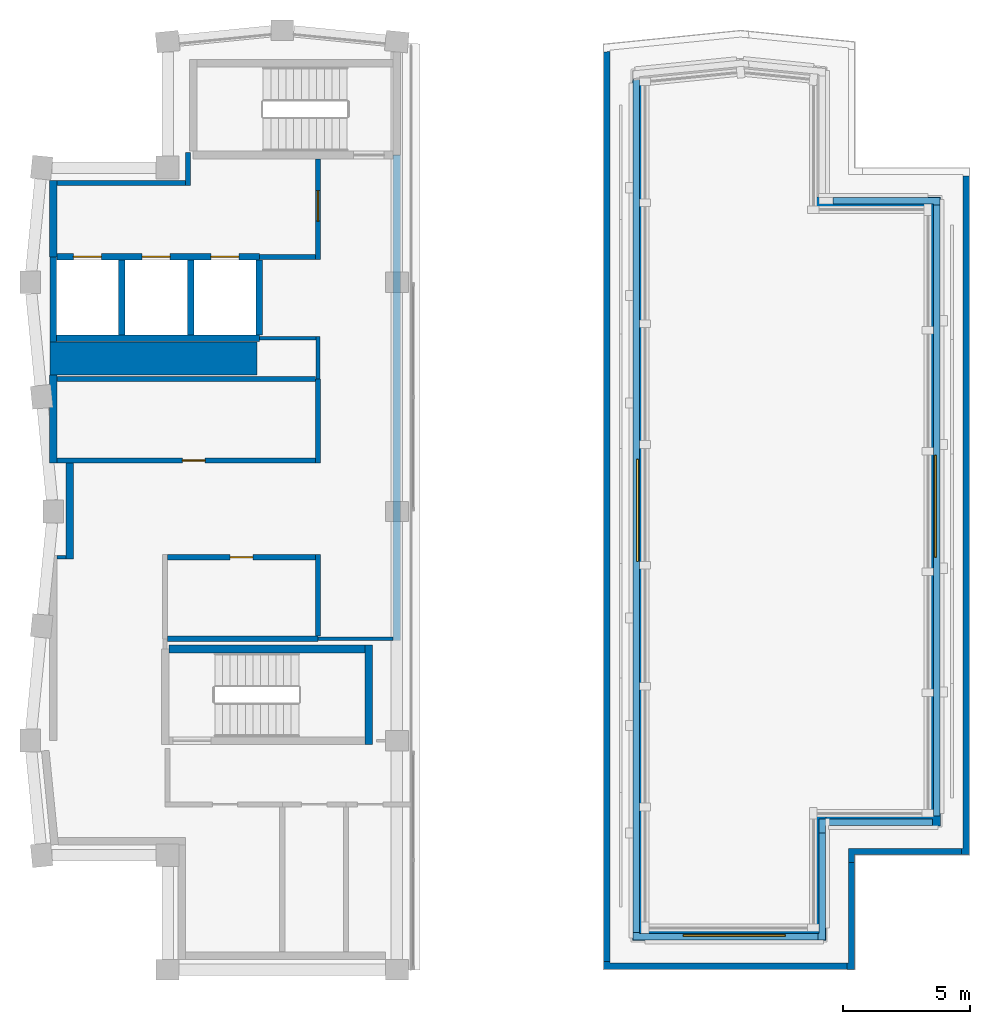
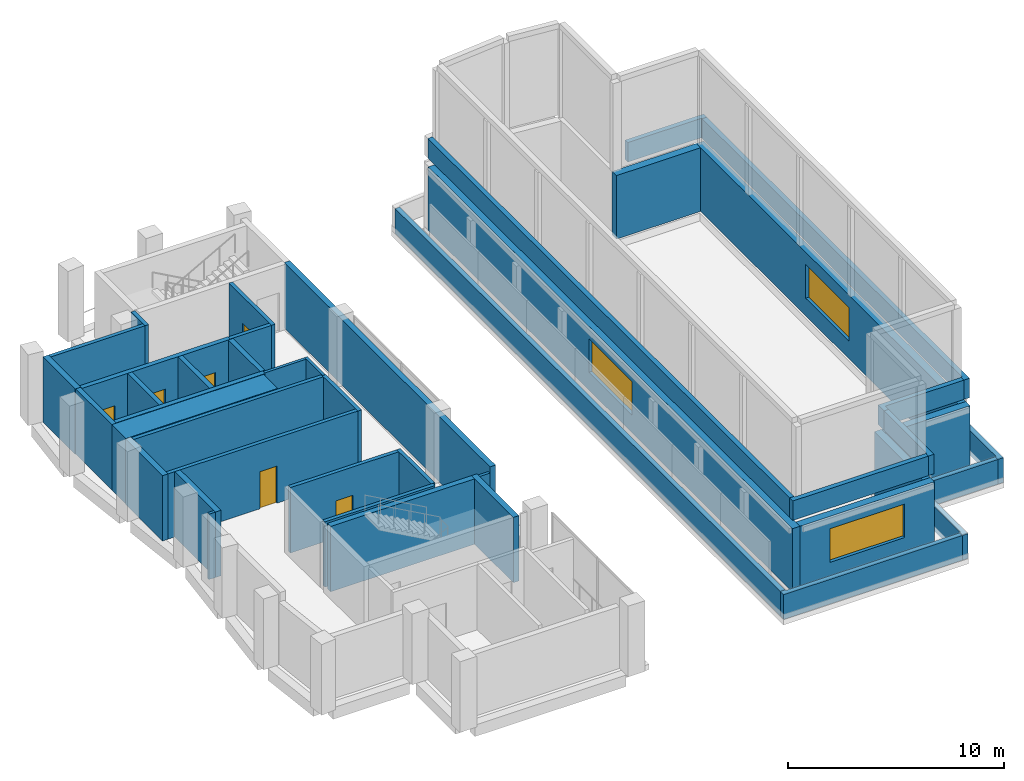
# One storey, part 5 of 8: 44 walls, 6 doors, 3 windows, 9 openings.
"""IFC4 building model written with IfcOpenShell, lengths in metres."""

from ifc_helpers import new_model, si_unit, direction, frame, frame_2d, origin, place, context, subcontext, project, spatial, polyline, rectangle, outline, extrude, material, layer, layer_set, type_object, element, fill, save


model = new_model("IFC4")

# Units and contexts
model_context = context("Model", 3, precision=1e-05, world=origin(), true_north=direction((0.0, 1.0)))
body_context = subcontext(model_context, "Body", "Model", "MODEL_VIEW")
ifc_project = project(units=[si_unit("LENGTHUNIT", "METRE"), si_unit("AREAUNIT", "SQUARE_METRE"), si_unit("VOLUMEUNIT", "CUBIC_METRE"), si_unit("PLANEANGLEUNIT", "RADIAN"), si_unit("MASSUNIT", "GRAM", prefix="KILO")], contexts=[model_context])

# Site, building, storey
site_placement = place(None, origin())
site = spatial("IfcSite", under=ifc_project, at=site_placement, CompositionType="ELEMENT")
building_placement = place(site_placement, origin())
building = spatial("IfcBuilding", under=site, at=building_placement, Name="Brondeck Convention Tower", CompositionType="ELEMENT")
storey_placement = place(building_placement, frame((0.0, 0.0, 298.800048828125)))
storey = spatial("IfcBuildingStorey", under=building, at=storey_placement, Name="L74", CompositionType="ELEMENT", Elevation=298.800048828125)

# Walls
ifc_material_1 = material(Name="Concrete C50/60", Category="concrete")
ifc_layer_1 = layer(ifc_material_1, 0.300048828125)
ifc_layer_set_1 = layer_set([ifc_layer_1], Name="Core outer wall 300 Concrete C50/60")
wall_type_1 = type_object("IfcWallType", Name="Core outer wall 300 Concrete C50/60", PredefinedType="SHEAR", material=ifc_layer_set_1)
wall_1_placement = place(storey_placement, frame((0.0, 46.89990234375, 0.0), z_axis=(0.0, 0.0, 1.0), x_axis=(0.0, 1.0, 0.0)))
element("IfcWall", 1, at=wall_1_placement, inside=storey, type_object=wall_type_1, Name="L74 core wall", PredefinedType="SHEAR", context=body_context, shape_type="SweptSolid", body=[
    extrude(rectangle(XDim=3.4501953125, YDim=0.300048828125, at=frame_2d((1.72509765625, 0.0))), origin(), (0.0, 0.0, 1.0), 3.699951171875),
])
wall_2_placement = place(storey_placement, frame((0.0, 55.0, 0.0), z_axis=(0.0, 0.0, 1.0), x_axis=(0.0, 1.0, 0.0)))
element("IfcWall", 2, at=wall_2_placement, inside=storey, type_object=wall_type_1, Name="L74 core wall", PredefinedType="SHEAR", context=body_context, shape_type="SweptSolid", body=[
    extrude(rectangle(XDim=3.0, YDim=0.300048828125, at=frame_2d((1.5, 0.0))), origin(), (0.0, 0.0, 1.0), 3.699951171875),
])
wall_3_placement = place(storey_placement, frame((0.64990234375, 43.125, 0.0), z_axis=(0.0, 0.0, 1.0), x_axis=(0.0, 1.0, 0.0)))
element("IfcWall", 3, at=wall_3_placement, inside=storey, type_object=wall_type_1, Name="L74 core wall", PredefinedType="SHEAR", context=body_context, shape_type="SweptSolid", body=[
    extrude(rectangle(XDim=3.77490234375, YDim=0.300048828125, at=frame_2d((1.887451171875, 0.0))), origin(), (0.0, 0.0, 1.0), 3.699951171875),
])
wall_4_placement = place(storey_placement, frame((13.5, 39.925048828125, 0.0), z_axis=(0.0, 0.0, 1.0), x_axis=(0.0, 1.0, 0.0)))
element("IfcWall", 4, at=wall_4_placement, inside=storey, type_object=wall_type_1, Name="L74 core wall", PredefinedType="SHEAR", context=body_context, shape_type="SweptSolid", body=[
    extrude(rectangle(XDim=19.074951171875, YDim=0.300048828125, at=frame_2d((9.53759765625, 0.0))), origin(), (0.0, 0.0, 1.0), 3.699951171875),
])
ifc_material_2 = material(Name="Fire-rated gypsum board partition")
ifc_layer_2 = layer(ifc_material_2, 0.14990234375)
ifc_layer_set_2 = layer_set([ifc_layer_2], Name="Core partition 150 EI 60")
wall_type_2 = type_object("IfcWallType", Name="Core partition 150 EI 60", PredefinedType="PARTITIONING", material=ifc_layer_set_2)
wall_5_placement = place(storey_placement, frame((10.39990234375, 40.0, 0.0), z_axis=(0.0, 0.0, 1.0), x_axis=(1.0, 0.0, 0.0)))
element("IfcWall", 5, at=wall_5_placement, inside=storey, type_object=wall_type_2, Name="L74 core wall", PredefinedType="PARTITIONING", context=body_context, shape_type="SweptSolid", body=[
    extrude(rectangle(XDim=2.9501953125, YDim=0.14990234375, at=frame_2d((1.47509765625, 0.0))), origin(), (0.0, 0.0, 1.0), 3.349853515625),
])
wall_6_placement = place(storey_placement, frame((0.14990234375, 43.199951171875, 0.0), z_axis=(0.0, 0.0, 1.0), x_axis=(1.0, 0.0, 0.0)))
element("IfcWall", 6, at=wall_6_placement, inside=storey, type_object=wall_type_2, Name="L74 core wall", PredefinedType="PARTITIONING", context=body_context, shape_type="SweptSolid", body=[
    extrude(rectangle(XDim=0.35009765625, YDim=0.14990234375, at=frame_2d((0.175048828125, 0.0))), origin(), (0.0, 0.0, 1.0), 3.699951171875),
])
wall_7_placement = place(storey_placement, frame((8.10009765625, 51.800048828125, 0.0), z_axis=(0.0, 0.0, 1.0), x_axis=(1.0, 0.0, 0.0)))
element("IfcWall", 7, at=wall_7_placement, inside=storey, type_object=wall_type_2, Name="L74 core wall", PredefinedType="PARTITIONING", context=body_context, shape_type="SweptSolid", body=[
    extrude(rectangle(XDim=2.224853515625, YDim=0.14990234375, at=frame_2d((1.1123046875, 0.0))), origin(), (0.0, 0.0, 1.0), 3.699951171875),
])
wall_8_placement = place(storey_placement, frame((10.39990234375, 50.199951171875, 0.0), z_axis=(0.0, 0.0, 1.0), x_axis=(0.0, 1.0, 0.0)))
element("IfcWall", 8, at=wall_8_placement, inside=storey, type_object=wall_type_2, Name="L74 core wall", PredefinedType="PARTITIONING", context=body_context, shape_type="SweptSolid", body=[
    extrude(rectangle(XDim=1.675048828125, YDim=0.14990234375, at=frame_2d((0.83740234375, 0.0))), origin(), (0.0, 0.0, 1.0), 3.699951171875),
])
ifc_layer_3 = layer(ifc_material_1, 1.300048828125)
ifc_layer_set_3 = layer_set([ifc_layer_3], Name="Core shear wall 1300 Concrete C50/60")
wall_type_3 = type_object("IfcWallType", Name="Core shear wall 1300 Concrete C50/60", PredefinedType="SHEAR", material=ifc_layer_set_3)
wall_9_placement = place(storey_placement, frame((-0.125, 51.0, 0.0), z_axis=(0.0, 0.0, 1.0), x_axis=(1.0, 0.0, 0.0)))
element("IfcWall", 9, at=wall_9_placement, inside=storey, type_object=wall_type_3, Name="L74 core wall", PredefinedType="SHEAR", context=body_context, shape_type="SweptSolid", body=[
    extrude(rectangle(XDim=8.125, YDim=1.300048828125, at=frame_2d((4.0625, 0.0))), origin(), (0.0, 0.0, 1.0), 3.699951171875),
])

# Wall, opening, window
ifc_material_3 = material(Name="Precast concrete C50/60 bronze finish", Category="concrete")
ifc_layer_4 = layer(ifc_material_3, 0.39990234375)
ifc_layer_set_4 = layer_set([ifc_layer_4], Name="Crown tier wall, precast concrete C50/60")
wall_type_4 = type_object("IfcWallType", Name="Crown tier wall, precast concrete C50/60", PredefinedType="SOLIDWALL", material=ifc_layer_set_4)
wall_10_placement = place(storey_placement, frame((30.35009765625, 28.35009765625, 0.449951171875), z_axis=(0.0, 0.0, 1.0), x_axis=(-1.0, 0.0, 0.0)))
wall_10 = element("IfcWall", 10, at=wall_10_placement, inside=storey, type_object=wall_type_4, Name="ENV-CT-K2-T1-W01", PredefinedType="SOLIDWALL", context=body_context, shape_type="SweptSolid", body=[
    extrude(rectangle(XDim=7.2001953125, YDim=0.39990234375, at=frame_2d((3.60009765625, 0.0))), origin(), (0.0, 0.0, 1.0), 3.60009765625),
])
opening_1_placement = place(wall_10_placement, frame((1.60009765625, 0.0, 1.0)))
opening_1 = element("IfcOpeningElement", 11, at=opening_1_placement, cuts=wall_10, Name="Opening W7", PredefinedType="OPENING", context=body_context, shape_type="SweptSolid", body=[
    extrude(rectangle(XDim=4.0, YDim=1.89990234375, at=frame_2d((2.0, 0.949951171875))), frame((0.0, 0.2099609375, 0.0), z_axis=(0.0, -1.0, 0.0), x_axis=(1.0, 0.0, 0.0)), (0.0, 0.0, 1.0), 0.419921875),
])
ifc_material_4 = material(Name="Bronze tinted double glazing", Category="glass")
window_type = type_object("IfcWindowType", Name="Crown tier ribbon window, bronze tinted", PartitioningType="SINGLE_PANEL", PredefinedType="WINDOW", material=ifc_material_4)
window_1_placement = place(opening_1_placement, origin())
window_1 = element("IfcWindow", 12, at=window_1_placement, inside=storey, type_object=window_type, Name="ENV-CT-K2-T1-WN01", OverallHeight=1.89990234375, OverallWidth=4.0, PartitioningType="SINGLE_PANEL", PredefinedType="WINDOW", context=body_context, shape_type="SweptSolid", body=[
    extrude(rectangle(XDim=4.0, YDim=1.89990234375, at=frame_2d((2.0, 0.949951171875))), frame((0.0, 0.030029296875, 0.0), z_axis=(0.0, -1.0, 0.0), x_axis=(1.0, 0.0, 0.0)), (0.0, 0.0, 1.0), 0.06005859375),
])
fill(opening_1, window_1)

# Walls
for number, where, z_axis, x_axis, name in (
    (13, (30.14990234375, 33.050048828125, 0.449951171875), (0.0, 0.0, 1.0), (0.0, -1.0, 0.0), "ENV-CT-K2-T1-W02"),
    (14, (34.85009765625, 32.85009765625, 0.449951171875), (0.0, 0.0, 1.0), (-1.0, 0.0, 0.0), "ENV-CT-K2-T1-W03"),
):
    element("IfcWall", number, at=place(storey_placement, frame(where, z_axis=z_axis, x_axis=x_axis)), inside=storey, type_object=wall_type_4, Name=name, PredefinedType="SOLIDWALL", context=body_context, shape_type="SweptSolid", body=[
        extrude(rectangle(XDim=4.5, YDim=0.39990234375, at=frame_2d((2.25, 0.0))), origin(), (0.0, 0.0, 1.0), 3.60009765625),
    ])

# Wall, opening, window
wall_11_placement = place(storey_placement, frame((34.64990234375, 57.35009765625, 0.449951171875), z_axis=(0.0, 0.0, 1.0), x_axis=(0.0, -1.0, 0.0)))
wall_11 = element("IfcWall", 15, at=wall_11_placement, inside=storey, type_object=wall_type_4, Name="ENV-CT-K2-T1-W04", PredefinedType="SOLIDWALL", context=body_context, shape_type="SweptSolid", body=[
    extrude(rectangle(XDim=24.302001953125, YDim=0.39990234375, at=frame_2d((12.15087890625, 0.0))), origin(), (0.0, 0.0, 1.0), 3.60009765625),
])
opening_2_placement = place(wall_11_placement, frame((10.15087890625, 0.0, 1.0)))
opening_2 = element("IfcOpeningElement", 16, at=opening_2_placement, cuts=wall_11, Name="Opening W7", PredefinedType="OPENING", context=body_context, shape_type="SweptSolid", body=[
    extrude(rectangle(XDim=4.0, YDim=1.89990234375, at=frame_2d((2.0, 0.949951171875))), frame((0.0, 0.2099609375, 0.0), z_axis=(0.0, -1.0, 0.0), x_axis=(1.0, 0.0, 0.0)), (0.0, 0.0, 1.0), 0.419921875),
])
window_2_placement = place(opening_2_placement, origin())
window_2 = element("IfcWindow", 17, at=window_2_placement, inside=storey, type_object=window_type, Name="ENV-CT-K2-T1-WN04", OverallHeight=1.89990234375, OverallWidth=4.0, PartitioningType="SINGLE_PANEL", PredefinedType="WINDOW", context=body_context, shape_type="SweptSolid", body=[
    extrude(rectangle(XDim=4.0, YDim=1.89990234375, at=frame_2d((2.0, 0.949951171875))), frame((0.0, 0.030029296875, 0.0), z_axis=(0.0, -1.0, 0.0), x_axis=(1.0, 0.0, 0.0)), (0.0, 0.0, 1.0), 0.06005859375),
])
fill(opening_2, window_2)

# Wall
wall_12_placement = place(storey_placement, frame((29.949951171875, 57.14990234375, 0.449951171875), z_axis=(0.0, 0.0, 1.0), x_axis=(1.0, 0.0, 0.0)))
element("IfcWall", 18, at=wall_12_placement, inside=storey, type_object=wall_type_4, Name="ENV-CT-K2-T1-W05", PredefinedType="SOLIDWALL", context=body_context, shape_type="SweptSolid", body=[
    extrude(rectangle(XDim=4.501953125, YDim=0.39990234375, at=frame_2d((2.2509765625, 0.0))), origin(), (0.0, 0.0, 1.0), 3.60009765625),
])

# Wall, opening, window
wall_13_placement = place(storey_placement, frame((22.949951171875, 28.14990234375, 0.449951171875), z_axis=(0.0, 0.0, 1.0), x_axis=(0.0, 1.0, 0.0)))
wall_13 = element("IfcWall", 19, at=wall_13_placement, inside=storey, type_object=wall_type_4, Name="ENV-CT-K2-T1-W09", PredefinedType="SOLIDWALL", context=body_context, shape_type="SweptSolid", body=[
    extrude(rectangle(XDim=33.782470703125, YDim=0.39990234375, at=frame_2d((16.89111328125, 0.0))), origin(), (0.0, 0.0, 1.0), 3.60009765625),
])
opening_3_placement = place(wall_13_placement, frame((14.89111328125, 0.0, 1.0)))
opening_3 = element("IfcOpeningElement", 20, at=opening_3_placement, cuts=wall_13, Name="Opening W7", PredefinedType="OPENING", context=body_context, shape_type="SweptSolid", body=[
    extrude(rectangle(XDim=4.0, YDim=1.89990234375, at=frame_2d((2.0, 0.949951171875))), frame((0.0, 0.2099609375, 0.0), z_axis=(0.0, -1.0, 0.0), x_axis=(1.0, 0.0, 0.0)), (0.0, 0.0, 1.0), 0.419921875),
])
window_3_placement = place(opening_3_placement, origin())
window_3 = element("IfcWindow", 21, at=window_3_placement, inside=storey, type_object=window_type, Name="ENV-CT-K2-T1-WN09", OverallHeight=1.89990234375, OverallWidth=4.0, PartitioningType="SINGLE_PANEL", PredefinedType="WINDOW", context=body_context, shape_type="SweptSolid", body=[
    extrude(rectangle(XDim=4.0, YDim=1.89990234375, at=frame_2d((2.0, 0.949951171875))), frame((0.0, 0.030029296875, 0.0), z_axis=(0.0, -1.0, 0.0), x_axis=(1.0, 0.0, 0.0)), (0.0, 0.0, 1.0), 0.06005859375),
])
fill(opening_3, window_3)

# Walls
ifc_layer_5 = layer(ifc_material_2, 0.199951171875)
ifc_layer_set_5 = layer_set([ifc_layer_5], Name="Firefighting lobby wall 200 EI 120")
wall_type_5 = type_object("IfcWallType", Name="Firefighting lobby wall 200 EI 120", PredefinedType="PARTITIONING", material=ifc_layer_set_5)
wall_14_placement = place(storey_placement, frame((8.10009765625, 55.0, 0.0), z_axis=(0.0, 0.0, 1.0), x_axis=(1.0, 0.0, 0.0)))
element("IfcWall", 22, at=wall_14_placement, inside=storey, type_object=wall_type_5, Name="L74 core wall", PredefinedType="PARTITIONING", context=body_context, shape_type="SweptSolid", body=[
    extrude(rectangle(XDim=2.199951171875, YDim=0.199951171875, at=frame_2d((1.10009765625, 0.0))), origin(), (0.0, 0.0, 1.0), 3.699951171875),
])
wall_15_placement = place(storey_placement, frame((0.14990234375, 57.89990234375, 0.0), z_axis=(0.0, 0.0, 1.0), x_axis=(1.0, 0.0, 0.0)))
element("IfcWall", 23, at=wall_15_placement, inside=storey, type_object=wall_type_5, Name="L74 core wall", PredefinedType="PARTITIONING", context=body_context, shape_type="SweptSolid", body=[
    extrude(rectangle(XDim=5.050048828125, YDim=0.199951171875, at=frame_2d((2.52490234375, 0.0))), origin(), (0.0, 0.0, 1.0), 3.699951171875),
])
wall_16_placement = place(storey_placement, frame((5.300048828125, 57.800048828125, 0.0), z_axis=(0.0, 0.0, 1.0), x_axis=(0.0, 1.0, 0.0)))
element("IfcWall", 24, at=wall_16_placement, inside=storey, type_object=wall_type_5, Name="L74 core wall", PredefinedType="PARTITIONING", context=body_context, shape_type="SweptSolid", body=[
    extrude(rectangle(XDim=1.300048828125, YDim=0.199951171875, at=frame_2d((0.64990234375, 0.0))), origin(), (0.0, 0.0, 1.0), 3.699951171875),
])

# Wall, opening, door
wall_17_placement = place(storey_placement, frame((10.39990234375, 54.89990234375, 0.0), z_axis=(0.0, 0.0, 1.0), x_axis=(0.0, 1.0, 0.0)))
wall_17 = element("IfcWall", 25, at=wall_17_placement, inside=storey, type_object=wall_type_5, Name="L74 core wall", PredefinedType="PARTITIONING", context=body_context, shape_type="SweptSolid", body=[
    extrude(rectangle(XDim=3.9501953125, YDim=0.199951171875, at=frame_2d((1.97509765625, 0.0))), origin(), (0.0, 0.0, 1.0), 3.699951171875),
])
opening_4_placement = place(wall_17_placement, frame((1.5, 0.0, 0.0)))
opening_4 = element("IfcOpeningElement", 26, at=opening_4_placement, cuts=wall_17, Name="Opening C43-01", PredefinedType="OPENING", context=body_context, shape_type="SweptSolid", body=[
    extrude(rectangle(XDim=1.199951171875, YDim=2.199951171875, at=frame_2d((0.60009765625, 1.10009765625))), frame((0.0, 0.10986328125, 0.0), z_axis=(0.0, -1.0, 0.0), x_axis=(1.0, 0.0, 0.0)), (0.0, 0.0, 1.0), 0.219970703125),
])
ifc_material_5 = material(Name="Steel fire door", Category="steel")
door_type_1 = type_object("IfcDoorType", Name="Firefighting lobby door 1200x2200 EI 120", OperationType="NOTDEFINED", PredefinedType="DOOR", material=ifc_material_5)
door_1_placement = place(opening_4_placement, origin())
door_1 = element("IfcDoor", 27, at=door_1_placement, inside=storey, type_object=door_type_1, Name="L74 Firefighting lobby door FFL-1", OperationType="SINGLE_SWING_RIGHT", OverallHeight=2.199951171875, OverallWidth=1.199951171875, PredefinedType="DOOR", context=body_context, shape_type="SweptSolid", body=[
    extrude(rectangle(XDim=1.199951171875, YDim=2.199951171875, at=frame_2d((0.60009765625, 1.10009765625))), frame((0.0, 0.02490234375, 0.0), z_axis=(0.0, -1.0, 0.0), x_axis=(1.0, 0.0, 0.0)), (0.0, 0.0, 1.0), 0.050048828125),
])
fill(opening_4, door_1)

# Wall
ifc_layer_6 = layer(ifc_material_1, 0.25)
ifc_layer_set_6 = layer_set([ifc_layer_6], Name="Lift shaft wall 250 Concrete C50/60")
wall_type_6 = type_object("IfcWallType", Name="Lift shaft wall 250 Concrete C50/60", PredefinedType="SHEAR", material=ifc_layer_set_6)
wall_18_placement = place(storey_placement, frame((0.125, 51.800048828125, 0.0), z_axis=(0.0, 0.0, 1.0), x_axis=(1.0, 0.0, 0.0)))
element("IfcWall", 28, at=wall_18_placement, inside=storey, type_object=wall_type_6, Name="L74 core wall", PredefinedType="SHEAR", context=body_context, shape_type="SweptSolid", body=[
    extrude(rectangle(XDim=7.97509765625, YDim=0.25, at=frame_2d((3.987548828125, 0.0))), origin(), (0.0, 0.0, 1.0), 3.699951171875),
])

# Wall, openings, doors
wall_19_placement = place(storey_placement, frame((0.14990234375, 55.0, 0.0), z_axis=(0.0, 0.0, 1.0), x_axis=(1.0, 0.0, 0.0)))
wall_19 = element("IfcWall", 29, at=wall_19_placement, inside=storey, type_object=wall_type_6, Name="L74 core wall", PredefinedType="SHEAR", context=body_context, shape_type="SweptSolid", body=[
    extrude(rectangle(XDim=7.9501953125, YDim=0.25, at=frame_2d((3.97509765625, 0.0))), origin(), (0.0, 0.0, 1.0), 3.699951171875),
])
opening_5_placement = place(wall_19_placement, frame((0.64990234375, 0.0, 0.0)))
opening_5 = element("IfcOpeningElement", 30, at=opening_5_placement, cuts=wall_19, Name="Opening C43-06", PredefinedType="OPENING", context=body_context, shape_type="SweptSolid", body=[
    extrude(rectangle(XDim=1.10009765625, YDim=2.10009765625, at=frame_2d((0.550048828125, 1.050048828125))), frame((0.0, 0.135009765625, 0.0), z_axis=(0.0, -1.0, 0.0), x_axis=(1.0, 0.0, 0.0)), (0.0, 0.0, 1.0), 0.27001953125),
])
opening_6_placement = place(wall_19_placement, frame((3.35009765625, 0.0, 0.0)))
opening_6 = element("IfcOpeningElement", 31, at=opening_6_placement, cuts=wall_19, Name="Opening C43-07", PredefinedType="OPENING", context=body_context, shape_type="SweptSolid", body=[
    extrude(rectangle(XDim=1.10009765625, YDim=2.10009765625, at=frame_2d((0.550048828125, 1.050048828125))), frame((0.0, 0.135009765625, 0.0), z_axis=(0.0, -1.0, 0.0), x_axis=(1.0, 0.0, 0.0)), (0.0, 0.0, 1.0), 0.27001953125),
])
opening_7_placement = place(wall_19_placement, frame((6.050048828125, 0.0, 0.0)))
opening_7 = element("IfcOpeningElement", 32, at=opening_7_placement, cuts=wall_19, Name="Opening C43-08", PredefinedType="OPENING", context=body_context, shape_type="SweptSolid", body=[
    extrude(rectangle(XDim=1.10009765625, YDim=2.10009765625, at=frame_2d((0.550048828125, 1.050048828125))), frame((0.0, 0.135009765625, 0.0), z_axis=(0.0, -1.0, 0.0), x_axis=(1.0, 0.0, 0.0)), (0.0, 0.0, 1.0), 0.27001953125),
])
ifc_material_6 = material(Name="Stainless steel lift door", Category="steel")
door_type_2 = type_object("IfcDoorType", Name="Lift landing door 1100x2100 EI 180", OperationType="DOUBLE_DOOR_SLIDING", PredefinedType="DOOR", material=ifc_material_6)
door_2_placement = place(opening_5_placement, origin())
door_2 = element("IfcDoor", 33, at=door_2_placement, inside=storey, type_object=door_type_2, Name="L74 Lift landing door FF1", OperationType="DOUBLE_DOOR_SLIDING", OverallHeight=2.10009765625, OverallWidth=1.10009765625, PredefinedType="DOOR", context=body_context, shape_type="SweptSolid", body=[
    extrude(rectangle(XDim=1.10009765625, YDim=2.10009765625, at=frame_2d((0.550048828125, 1.050048828125))), frame((0.0, 0.02490234375, 0.0), z_axis=(0.0, -1.0, 0.0), x_axis=(1.0, 0.0, 0.0)), (0.0, 0.0, 1.0), 0.050048828125),
])
fill(opening_5, door_2)
door_3_placement = place(opening_6_placement, origin())
door_3 = element("IfcDoor", 34, at=door_3_placement, inside=storey, type_object=door_type_2, Name="L74 Lift landing door FF2", OperationType="DOUBLE_DOOR_SLIDING", OverallHeight=2.10009765625, OverallWidth=1.10009765625, PredefinedType="DOOR", context=body_context, shape_type="SweptSolid", body=[
    extrude(rectangle(XDim=1.10009765625, YDim=2.10009765625, at=frame_2d((0.550048828125, 1.050048828125))), frame((0.0, 0.02490234375, 0.0), z_axis=(0.0, -1.0, 0.0), x_axis=(1.0, 0.0, 0.0)), (0.0, 0.0, 1.0), 0.050048828125),
])
fill(opening_6, door_3)
door_4_placement = place(opening_7_placement, origin())
door_4 = element("IfcDoor", 35, at=door_4_placement, inside=storey, type_object=door_type_2, Name="L74 Lift landing door FF3", OperationType="DOUBLE_DOOR_SLIDING", OverallHeight=2.10009765625, OverallWidth=1.10009765625, PredefinedType="DOOR", context=body_context, shape_type="SweptSolid", body=[
    extrude(rectangle(XDim=1.10009765625, YDim=2.10009765625, at=frame_2d((0.550048828125, 1.050048828125))), frame((0.0, 0.02490234375, 0.0), z_axis=(0.0, -1.0, 0.0), x_axis=(1.0, 0.0, 0.0)), (0.0, 0.0, 1.0), 0.050048828125),
])
fill(opening_7, door_4)

# Walls
wall_20_placement = place(storey_placement, frame((0.0, 51.64990234375, 0.0), z_axis=(0.0, 0.0, 1.0), x_axis=(0.0, 1.0, 0.0)))
element("IfcWall", 36, at=wall_20_placement, inside=storey, type_object=wall_type_6, Name="L74 core wall", PredefinedType="SHEAR", context=body_context, shape_type="SweptSolid", body=[
    extrude(rectangle(XDim=3.35009765625, YDim=0.25, at=frame_2d((1.675048828125, 0.0))), origin(), (0.0, 0.0, 1.0), 3.699951171875),
])
for number, where, z_axis, x_axis, name in (
    (37, (2.699951171875, 51.925048828125, 0.0), (0.0, 0.0, 1.0), (0.0, 1.0, 0.0), "L74 core wall"),
    (38, (5.39990234375, 51.925048828125, 0.0), (0.0, 0.0, 1.0), (0.0, 1.0, 0.0), "L74 core wall"),
    (39, (8.10009765625, 51.925048828125, 0.0), (0.0, 0.0, 1.0), (0.0, 1.0, 0.0), "L74 core wall"),
):
    element("IfcWall", number, at=place(storey_placement, frame(where, z_axis=z_axis, x_axis=x_axis)), inside=storey, type_object=wall_type_6, Name=name, PredefinedType="SHEAR", context=body_context, shape_type="SweptSolid", body=[
        extrude(rectangle(XDim=2.949951171875, YDim=0.25, at=frame_2d((1.47509765625, 0.0))), origin(), (0.0, 0.0, 1.0), 3.699951171875),
    ])
ifc_layer_7 = layer(ifc_material_2, 0.199951171875)
ifc_layer_set_7 = layer_set([ifc_layer_7], Name="Plant room wall 200 EI 120")
wall_type_7 = type_object("IfcWallType", Name="Plant room wall 200 EI 120", PredefinedType="PARTITIONING", material=ifc_layer_set_7)
wall_21_placement = place(storey_placement, frame((4.5, 40.0, 0.0), z_axis=(0.0, 0.0, 1.0), x_axis=(1.0, 0.0, 0.0)))
element("IfcWall", 40, at=wall_21_placement, inside=storey, type_object=wall_type_7, Name="L74 core wall", PredefinedType="PARTITIONING", context=body_context, shape_type="SweptSolid", body=[
    extrude(rectangle(XDim=5.89990234375, YDim=0.199951171875, at=frame_2d((2.949951171875, 0.0))), origin(), (0.0, 0.0, 1.0), 3.699951171875),
])

# Wall, opening, door
wall_22_placement = place(storey_placement, frame((4.5, 43.199951171875, 0.0), z_axis=(0.0, 0.0, 1.0), x_axis=(1.0, 0.0, 0.0)))
wall_22 = element("IfcWall", 41, at=wall_22_placement, inside=storey, type_object=wall_type_7, Name="L74 core wall", PredefinedType="PARTITIONING", context=body_context, shape_type="SweptSolid", body=[
    extrude(rectangle(XDim=5.800048828125, YDim=0.199951171875, at=frame_2d((2.89990234375, 0.0))), origin(), (0.0, 0.0, 1.0), 3.699951171875),
])
opening_8_placement = place(wall_22_placement, frame((2.449951171875, 0.0, 0.0)))
opening_8 = element("IfcOpeningElement", 42, at=opening_8_placement, cuts=wall_22, Name="Opening C43-03", PredefinedType="OPENING", context=body_context, shape_type="SweptSolid", body=[
    extrude(rectangle(XDim=0.89990234375, YDim=2.10009765625, at=frame_2d((0.449951171875, 1.050048828125))), frame((0.0, 0.10986328125, 0.0), z_axis=(0.0, -1.0, 0.0), x_axis=(1.0, 0.0, 0.0)), (0.0, 0.0, 1.0), 0.219970703125),
])
door_type_3 = type_object("IfcDoorType", Name="Room door 900x2100 EI 120", OperationType="NOTDEFINED", PredefinedType="DOOR", material=ifc_material_5)
door_5_placement = place(opening_8_placement, origin())
door_5 = element("IfcDoor", 43, at=door_5_placement, inside=storey, type_object=door_type_3, Name="L74 Room door FZ-S-4.4-1", OperationType="SINGLE_SWING_LEFT", OverallHeight=2.10009765625, OverallWidth=0.89990234375, PredefinedType="DOOR", context=body_context, shape_type="SweptSolid", body=[
    extrude(rectangle(XDim=0.89990234375, YDim=2.10009765625, at=frame_2d((0.449951171875, 1.050048828125))), frame((0.0, 0.02490234375, 0.0), z_axis=(0.0, -1.0, 0.0), x_axis=(1.0, 0.0, 0.0)), (0.0, 0.0, 1.0), 0.050048828125),
])
fill(opening_8, door_5)

wall_23_placement = place(storey_placement, frame((0.14990234375, 47.0, 0.0), z_axis=(0.0, 0.0, 1.0), x_axis=(1.0, 0.0, 0.0)))
wall_23 = element("IfcWall", 44, at=wall_23_placement, inside=storey, type_object=wall_type_7, Name="L74 core wall", PredefinedType="PARTITIONING", context=body_context, shape_type="SweptSolid", body=[
    extrude(rectangle(XDim=10.150146484375, YDim=0.199951171875, at=frame_2d((5.0751953125, 0.0))), origin(), (0.0, 0.0, 1.0), 3.699951171875),
])
opening_9_placement = place(wall_23_placement, frame((4.925048828125, 0.0, 0.0)))
opening_9 = element("IfcOpeningElement", 45, at=opening_9_placement, cuts=wall_23, Name="Opening C43-02", PredefinedType="OPENING", context=body_context, shape_type="SweptSolid", body=[
    extrude(rectangle(XDim=0.89990234375, YDim=2.10009765625, at=frame_2d((0.449951171875, 1.050048828125))), frame((0.0, 0.10986328125, 0.0), z_axis=(0.0, -1.0, 0.0), x_axis=(1.0, 0.0, 0.0)), (0.0, 0.0, 1.0), 0.219970703125),
])
door_6_placement = place(opening_9_placement, origin())
door_6 = element("IfcDoor", 46, at=door_6_placement, inside=storey, type_object=door_type_3, Name="L74 Room door FZ-N-0-1", OperationType="SINGLE_SWING_RIGHT", OverallHeight=2.10009765625, OverallWidth=0.89990234375, PredefinedType="DOOR", context=body_context, shape_type="SweptSolid", body=[
    extrude(rectangle(XDim=0.89990234375, YDim=2.10009765625, at=frame_2d((0.449951171875, 1.050048828125))), frame((0.0, 0.02490234375, 0.0), z_axis=(0.0, -1.0, 0.0), x_axis=(1.0, 0.0, 0.0)), (0.0, 0.0, 1.0), 0.050048828125),
])
fill(opening_9, door_6)

# Walls
wall_24_placement = place(storey_placement, frame((0.14990234375, 50.199951171875, 0.0), z_axis=(0.0, 0.0, 1.0), x_axis=(1.0, 0.0, 0.0)))
element("IfcWall", 47, at=wall_24_placement, inside=storey, type_object=wall_type_7, Name="L74 core wall", PredefinedType="PARTITIONING", context=body_context, shape_type="SweptSolid", body=[
    extrude(rectangle(XDim=10.150146484375, YDim=0.199951171875, at=frame_2d((5.0751953125, 0.0))), origin(), (0.0, 0.0, 1.0), 3.699951171875),
])
wall_25_placement = place(storey_placement, frame((10.39990234375, 40.10009765625, 0.0), z_axis=(0.0, 0.0, 1.0), x_axis=(0.0, 1.0, 0.0)))
element("IfcWall", 48, at=wall_25_placement, inside=storey, type_object=wall_type_7, Name="L74 core wall", PredefinedType="PARTITIONING", context=body_context, shape_type="SweptSolid", body=[
    extrude(rectangle(XDim=3.199951171875, YDim=0.199951171875, at=frame_2d((1.60009765625, 0.0))), origin(), (0.0, 0.0, 1.0), 3.699951171875),
])
wall_26_placement = place(storey_placement, frame((10.39990234375, 46.89990234375, 0.0), z_axis=(0.0, 0.0, 1.0), x_axis=(0.0, 1.0, 0.0)))
element("IfcWall", 49, at=wall_26_placement, inside=storey, type_object=wall_type_7, Name="L74 core wall", PredefinedType="PARTITIONING", context=body_context, shape_type="SweptSolid", body=[
    extrude(rectangle(XDim=3.300048828125, YDim=0.199951171875, at=frame_2d((1.64990234375, 0.0))), origin(), (0.0, 0.0, 1.0), 3.699951171875),
])
ifc_material_7 = material(Name="Precast concrete C50/60", Category="concrete")
ifc_layer_8 = layer(ifc_material_7, 0.25)
ifc_layer_set_8 = layer_set([ifc_layer_8], Name="Roof parapet, precast concrete C50/60")
wall_type_8 = type_object("IfcWallType", Name="Roof parapet, precast concrete C50/60", PredefinedType="PARAPET", material=ifc_layer_set_8)
wall_27_placement = place(storey_placement, origin())
element("IfcWall", 50, at=wall_27_placement, inside=storey, type_object=wall_type_8, Name="ENV-ROOF-K2-PA-05", PredefinedType="PARAPET", context=body_context, shape_type="SweptSolid", body=[
    extrude(outline(polyline([(35.72998046875, 31.77001953125), (35.679931640625, 31.77001953125), (35.679931640625, 31.52001953125), (35.97998046875, 31.52001953125), (35.97998046875, 58.178955078125), (35.72998046875, 58.178955078125), (35.72998046875, 31.77001953125)])), origin(), (0.0, 0.0, 1.0), 1.39990234375),
])
wall_28_placement = place(storey_placement, origin())
element("IfcWall", 51, at=wall_28_placement, inside=storey, type_object=wall_type_8, Name="ENV-ROOF-K2-PA-06", PredefinedType="PARAPET", context=body_context, shape_type="SweptSolid", body=[
    extrude(outline(polyline([(31.22998046875, 31.77001953125), (31.22998046875, 31.219970703125), (31.47998046875, 31.219970703125), (31.47998046875, 31.52001953125), (35.678955078125, 31.52001953125), (35.678955078125, 31.77001953125), (31.22998046875, 31.77001953125)])), origin(), (0.0, 0.0, 1.0), 1.39990234375),
])
wall_29_placement = place(storey_placement, origin())
element("IfcWall", 52, at=wall_29_placement, inside=storey, type_object=wall_type_8, Name="ENV-ROOF-K2-PA-07", PredefinedType="PARAPET", context=body_context, shape_type="SweptSolid", body=[
    extrude(outline(polyline([(31.22998046875, 27.27001953125), (31.179931640625, 27.27001953125), (31.179931640625, 27.02001953125), (31.47998046875, 27.02001953125), (31.47998046875, 31.218994140625), (31.22998046875, 31.218994140625), (31.22998046875, 27.27001953125)])), origin(), (0.0, 0.0, 1.0), 1.39990234375),
])
wall_30_placement = place(storey_placement, origin())
element("IfcWall", 53, at=wall_30_placement, inside=storey, type_object=wall_type_8, Name="ENV-ROOF-K2-PA-08", PredefinedType="PARAPET", context=body_context, shape_type="SweptSolid", body=[
    extrude(outline(polyline([(21.8701171875, 27.27001953125), (21.8701171875, 27.320068359375), (21.6201171875, 27.320068359375), (21.6201171875, 27.02001953125), (31.178955078125, 27.02001953125), (31.178955078125, 27.27001953125), (21.8701171875, 27.27001953125)])), origin(), (0.0, 0.0, 1.0), 1.39990234375),
])
wall_31_placement = place(storey_placement, origin())
element("IfcWall", 54, at=wall_31_placement, inside=storey, type_object=wall_type_8, Name="ENV-ROOF-K2-PA-09", PredefinedType="PARAPET", context=body_context, shape_type="SweptSolid", body=[
    extrude(outline(polyline([(21.8701171875, 27.321044921875), (21.8701171875, 63.064453125), (21.64990234375, 63.04248046875), (21.6201171875, 63.039306640625), (21.6201171875, 63.039306640625), (21.6201171875, 63.039306640625), (21.6201171875, 27.321044921875), (21.8701171875, 27.321044921875)])), origin(), (0.0, 0.0, 1.0), 1.39990234375),
])
wall_32_placement = place(storey_placement, frame((0.0, 0.0, 4.5)))
element("IfcWall", 55, at=wall_32_placement, inside=storey, type_object=wall_type_8, Name="ENV-CT-K2-T1-PA04", PredefinedType="PARAPET", context=body_context, shape_type="SweptSolid", body=[
    extrude(outline(polyline([(34.580078125, 57.080078125), (34.580078125, 57.030029296875), (34.830078125, 57.030029296875), (34.830078125, 57.330078125), (30.631103515625, 57.330078125), (30.631103515625, 57.080078125), (34.580078125, 57.080078125)])), origin(), (0.0, 0.0, 1.0), 1.099853515625),
])
wall_33_placement = place(storey_placement, frame((0.0, 0.0, 4.5)))
element("IfcWall", 56, at=wall_33_placement, inside=storey, type_object=wall_type_8, Name="ENV-CT-K2-T1-PA05", PredefinedType="PARAPET", context=body_context, shape_type="SweptSolid", body=[
    extrude(outline(polyline([(34.580078125, 32.919921875), (34.530029296875, 32.919921875), (34.530029296875, 32.669921875), (34.830078125, 32.669921875), (34.830078125, 57.029052734375), (34.580078125, 57.029052734375), (34.580078125, 32.919921875)])), origin(), (0.0, 0.0, 1.0), 1.099853515625),
])
wall_34_placement = place(storey_placement, frame((0.0, 0.0, 4.5)))
element("IfcWall", 57, at=wall_34_placement, inside=storey, type_object=wall_type_8, Name="ENV-CT-K2-T1-PA06", PredefinedType="PARAPET", context=body_context, shape_type="SweptSolid", body=[
    extrude(outline(polyline([(30.080078125, 32.919921875), (30.080078125, 32.3701171875), (30.330078125, 32.3701171875), (30.330078125, 32.669921875), (34.529052734375, 32.669921875), (34.529052734375, 32.919921875), (30.080078125, 32.919921875)])), origin(), (0.0, 0.0, 1.0), 1.099853515625),
])
wall_35_placement = place(storey_placement, frame((0.0, 0.0, 4.5)))
element("IfcWall", 58, at=wall_35_placement, inside=storey, type_object=wall_type_8, Name="ENV-CT-K2-T1-PA07", PredefinedType="PARAPET", context=body_context, shape_type="SweptSolid", body=[
    extrude(outline(polyline([(30.080078125, 28.419921875), (30.030029296875, 28.419921875), (30.030029296875, 28.169921875), (30.330078125, 28.169921875), (30.330078125, 32.368896484375), (30.330078125, 32.368896484375), (30.080078125, 32.368896484375), (30.080078125, 28.419921875)])), origin(), (0.0, 0.0, 1.0), 1.099853515625),
])
wall_36_placement = place(storey_placement, frame((0.0, 0.0, 4.5)))
element("IfcWall", 59, at=wall_36_placement, inside=storey, type_object=wall_type_8, Name="ENV-CT-K2-T1-PA08", PredefinedType="PARAPET", context=body_context, shape_type="SweptSolid", body=[
    extrude(outline(polyline([(23.02001953125, 28.419921875), (23.02001953125, 28.469970703125), (22.77001953125, 28.469970703125), (22.77001953125, 28.169921875), (30.029052734375, 28.169921875), (30.029052734375, 28.169921875), (30.029052734375, 28.419921875), (23.02001953125, 28.419921875)])), origin(), (0.0, 0.0, 1.0), 1.099853515625),
])
wall_37_placement = place(storey_placement, frame((0.0, 0.0, 4.5)))
element("IfcWall", 60, at=wall_37_placement, inside=storey, type_object=wall_type_8, Name="ENV-CT-K2-T1-PA09", PredefinedType="PARAPET", context=body_context, shape_type="SweptSolid", body=[
    extrude(outline(polyline([(23.02001953125, 28.470947265625), (23.02001953125, 62.023681640625), (22.800048828125, 62.001708984375), (22.77001953125, 61.998779296875), (22.77001953125, 61.998779296875), (22.77001953125, 61.998779296875), (22.77001953125, 28.470947265625), (23.02001953125, 28.470947265625)])), origin(), (0.0, 0.0, 1.0), 1.099853515625),
])
ifc_layer_9 = layer(ifc_material_1, 0.300048828125)
ifc_layer_set_9 = layer_set([ifc_layer_9], Name="Stair enclosure wall 300 Concrete C50/60")
wall_type_9 = type_object("IfcWallType", Name="Stair enclosure wall 300 Concrete C50/60", PredefinedType="SHEAR", material=ifc_layer_set_9)
wall_38_placement = place(storey_placement, frame((4.550048828125, 39.60009765625, 0.0), z_axis=(0.0, 0.0, 1.0), x_axis=(1.0, 0.0, 0.0)))
element("IfcWall", 61, at=wall_38_placement, inside=storey, type_object=wall_type_9, Name="L74 core wall", PredefinedType="SHEAR", context=body_context, shape_type="SweptSolid", body=[
    extrude(rectangle(XDim=7.699951171875, YDim=0.300048828125, at=frame_2d((3.85009765625, 0.0))), origin(), (0.0, 0.0, 1.0), 3.699951171875),
])
wall_39_placement = place(storey_placement, frame((12.39990234375, 35.85009765625, 0.0), z_axis=(0.0, 0.0, 1.0), x_axis=(0.0, 1.0, 0.0)))
element("IfcWall", 62, at=wall_39_placement, inside=storey, type_object=wall_type_9, Name="L74 core wall", PredefinedType="SHEAR", context=body_context, shape_type="SweptSolid", body=[
    extrude(rectangle(XDim=3.89990234375, YDim=0.300048828125, at=frame_2d((1.949951171875, 0.0))), origin(), (0.0, 0.0, 1.0), 3.699951171875),
])

save(model, "model.ifc")
